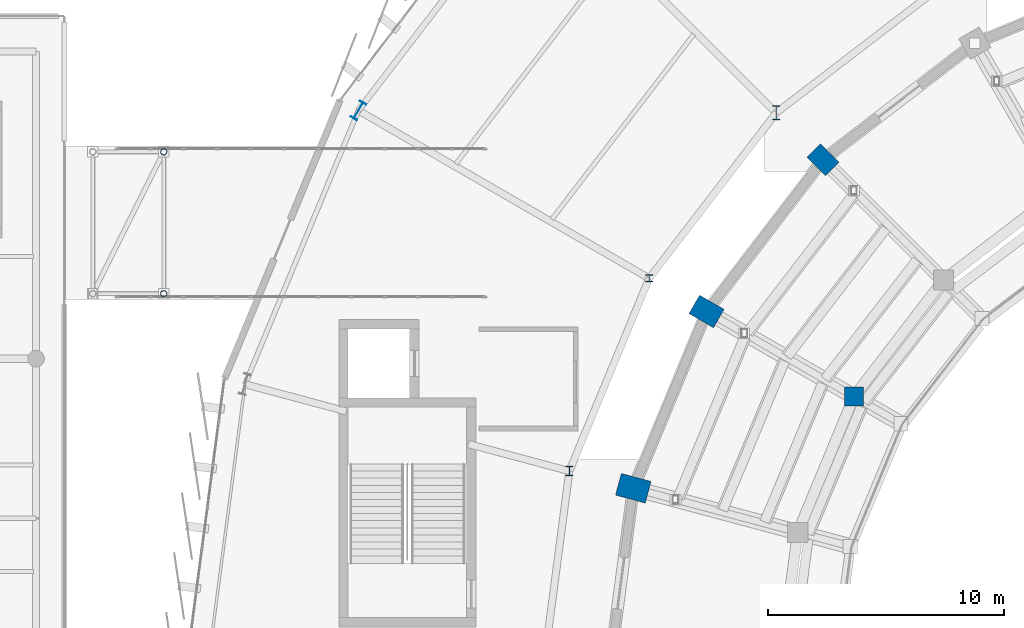
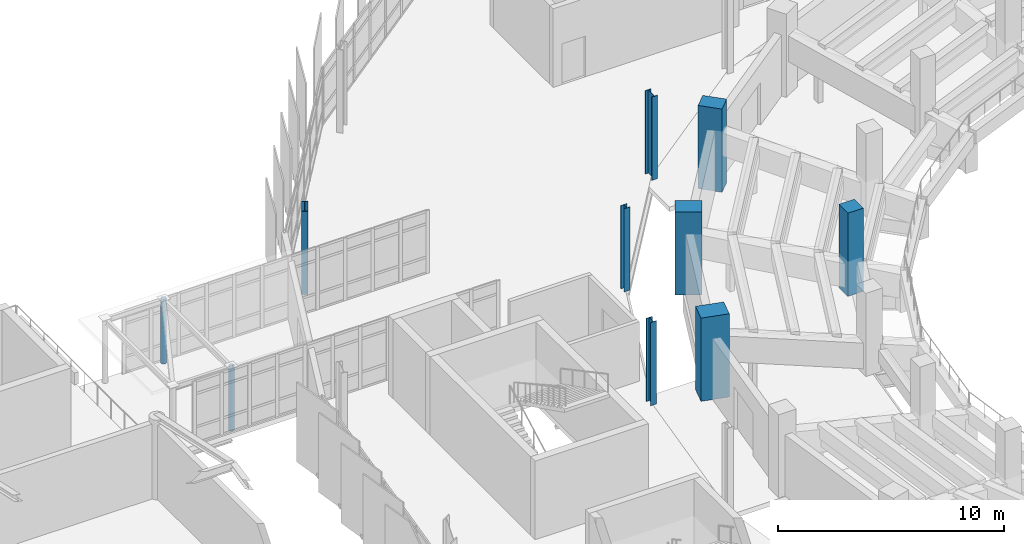
# One storey, part 12 of 120: 10 columns.
"""IFC4 building model written with IfcOpenShell, lengths in metres."""

from ifc_helpers import new_model, si_unit, direction, frame, origin, origin_2d, place, context, subcontext, project, spatial, rectangle, hollow_circle, i_section, extrude, material, material_profile, profile_set, type_object, element, save


model = new_model("IFC4")

# Units and contexts
model_context = context("Model", 3, precision=1e-05, world=origin(), true_north=direction((0.0, 1.0)))
body_context = subcontext(model_context, "Body", "Model", "MODEL_VIEW")
ifc_project = project(units=[si_unit("LENGTHUNIT", "METRE"), si_unit("AREAUNIT", "SQUARE_METRE"), si_unit("VOLUMEUNIT", "CUBIC_METRE"), si_unit("PLANEANGLEUNIT", "RADIAN"), si_unit("MASSUNIT", "GRAM", prefix="KILO")], contexts=[model_context])

# Site, building, storey
site_placement = place(None, origin())
site = spatial("IfcSite", under=ifc_project, at=site_placement, CompositionType="ELEMENT")
building_placement = place(site_placement, origin())
building = spatial("IfcBuilding", under=site, at=building_placement, Name="Sohan Crest Arena", CompositionType="ELEMENT")
storey_placement = place(building_placement, frame((0.0, 0.0, 13.5)))
storey = spatial("IfcBuildingStorey", under=building, at=storey_placement, Name="L03", CompositionType="ELEMENT", Elevation=13.5)

# Columns
ifc_material_1 = material(Name="Concrete C40/50", Category="concrete")
ifc_material_profile_1 = material_profile(ifc_material_1, rectangle(XDim=0.800048828125, YDim=0.800048828125, at=origin_2d()), Name="RC 800x800")
ifc_profile_set_1 = profile_set([ifc_material_profile_1], Name="Concrete C40/50")
column_type_1 = type_object("IfcColumnType", Name="STR-COL-C05", PredefinedType="COLUMN", material=ifc_profile_set_1)
column_1_placement = place(storey_placement, frame((77.388916015625, 89.89990234375, 0.0), z_axis=(0.0, 0.0, 1.0), x_axis=(1.0, 0.0, 0.0)))
element("IfcColumn", 1, at=column_1_placement, inside=storey, type_object=column_type_1, Name="Structural column COL-V1M-05-L03", PredefinedType="COLUMN", context=body_context, shape_type="SweptSolid", body=[
    extrude(rectangle(XDim=0.800048828125, YDim=0.800048828125, at=origin_2d()), origin(), (0.0, 0.0, 1.0), 4.5),
])
ifc_material_profile_2 = material_profile(ifc_material_1, rectangle(XDim=1.10009765625, YDim=0.800048828125, at=origin_2d()), Name="RC 1100x800")
ifc_profile_set_2 = profile_set([ifc_material_profile_2], Name="Concrete C40/50")
column_type_2 = type_object("IfcColumnType", Name="STR-COL-C10", PredefinedType="COLUMN", material=ifc_profile_set_2)
column_2_placement = place(storey_placement, frame((76.080078125, 99.919921875, 0.0), z_axis=(0.0, 0.0, 1.0), x_axis=(-0.707106781187, 0.707106781187, 0.0)))
element("IfcColumn", 2, at=column_2_placement, inside=storey, type_object=column_type_2, Name="Structural column COL-V1R-04-L03", PredefinedType="COLUMN", context=body_context, shape_type="SweptSolid", body=[
    extrude(rectangle(XDim=1.10009765625, YDim=0.800048828125, at=origin_2d()), origin(), (0.0, 0.0, 1.0), 4.5),
])
ifc_material_profile_3 = material_profile(ifc_material_1, rectangle(XDim=1.199951171875, YDim=0.89990234375, at=origin_2d()), Name="RC 1200x900")
ifc_profile_set_3 = profile_set([ifc_material_profile_3], Name="Concrete C40/50")
column_type_3 = type_object("IfcColumnType", Name="STR-COL-C11", PredefinedType="COLUMN", material=ifc_profile_set_3)
column_3_placement = place(storey_placement, frame((71.153076171875, 93.5, 0.0), z_axis=(0.0, 0.0, 1.0), x_axis=(-0.866025403784, 0.5, 0.0)))
element("IfcColumn", 3, at=column_3_placement, inside=storey, type_object=column_type_3, Name="Structural column COL-V1R-05-L03", PredefinedType="COLUMN", context=body_context, shape_type="SweptSolid", body=[
    extrude(rectangle(XDim=1.199951171875, YDim=0.89990234375, at=origin_2d()), origin(), (0.0, 0.0, 1.0), 4.5),
])
ifc_material_profile_4 = material_profile(ifc_material_1, rectangle(XDim=1.300048828125, YDim=0.949951171875, at=origin_2d()), Name="RC 1300x950")
ifc_profile_set_4 = profile_set([ifc_material_profile_4], Name="Concrete C40/50")
column_type_4 = type_object("IfcColumnType", Name="STR-COL-C12", PredefinedType="COLUMN", material=ifc_profile_set_4)
column_4_placement = place(storey_placement, frame((68.055908203125, 86.02294921875, 0.0), z_axis=(0.0, 0.0, 1.0), x_axis=(-0.965925826289, 0.258819045103, 0.0)))
element("IfcColumn", 4, at=column_4_placement, inside=storey, type_object=column_type_4, Name="Structural column COL-V1R-06-L03", PredefinedType="COLUMN", context=body_context, shape_type="SweptSolid", body=[
    extrude(rectangle(XDim=1.300048828125, YDim=0.949951171875, at=origin_2d()), origin(), (0.0, 0.0, 1.0), 4.5),
])
ifc_material_2 = material(Name="Steel S355", Category="steel")
ifc_material_profile_5 = material_profile(ifc_material_2, i_section(OverallWidth=0.300048828125, OverallDepth=0.300048828125, WebThickness=0.010986328125, FlangeThickness=0.01904296875, at=origin_2d()), Name="HEB 300")
ifc_profile_set_5 = profile_set([ifc_material_profile_5], Name="Steel S355")
column_type_5 = type_object("IfcColumnType", Name="STR-COL-C17", PredefinedType="COLUMN", material=ifc_profile_set_5)
column_5_placement = place(storey_placement, frame((68.72802734375, 94.89990234375, 0.0), z_axis=(0.0, 0.0, 1.0), x_axis=(1.0, 0.0, 0.0)))
element("IfcColumn", 5, at=column_5_placement, inside=storey, type_object=column_type_5, Name="Structural column COL-V2I-05-L03", PredefinedType="COLUMN", context=body_context, shape_type="SweptSolid", body=[
    extrude(i_section(OverallWidth=0.300048828125, OverallDepth=0.300048828125, WebThickness=0.010986328125, FlangeThickness=0.01904296875, at=origin_2d()), origin(), (0.0, 0.0, 1.0), 4.5),
])
ifc_material_profile_6 = material_profile(ifc_material_2, i_section(OverallWidth=0.300048828125, OverallDepth=0.39990234375, WebThickness=0.013427734375, FlangeThickness=0.02392578125, at=origin_2d()), Name="HEB 400")
ifc_profile_set_6 = profile_set([ifc_material_profile_6], Name="Steel S355")
column_type_6 = type_object("IfcColumnType", Name="STR-COL-C18", PredefinedType="COLUMN", material=ifc_profile_set_6)
column_6_placement = place(storey_placement, frame((65.35205078125, 86.748046875, 0.0), z_axis=(0.0, 0.0, 1.0), x_axis=(1.0, 0.0, 0.0)))
element("IfcColumn", 6, at=column_6_placement, inside=storey, type_object=column_type_6, Name="Structural column COL-V2I-06-L03", PredefinedType="COLUMN", context=body_context, shape_type="SweptSolid", body=[
    extrude(i_section(OverallWidth=0.300048828125, OverallDepth=0.39990234375, WebThickness=0.013427734375, FlangeThickness=0.02392578125, at=origin_2d()), origin(), (0.0, 0.0, 1.0), 4.5),
])
ifc_material_profile_7 = material_profile(ifc_material_2, i_section(OverallWidth=0.300048828125, OverallDepth=0.60009765625, WebThickness=0.015380859375, FlangeThickness=0.030029296875, at=origin_2d()), Name="HEB 600")
ifc_profile_set_7 = profile_set([ifc_material_profile_7], Name="Steel S355")
column_type_7 = type_object("IfcColumnType", Name="STR-COL-C20", PredefinedType="COLUMN", material=ifc_profile_set_7)
column_7_placement = place(storey_placement, frame((74.10009765625, 101.89990234375, 0.0), z_axis=(0.0, 0.0, 1.0), x_axis=(1.0, 0.0, 0.0)))
element("IfcColumn", 7, at=column_7_placement, inside=storey, type_object=column_type_7, Name="Structural column COL-V2I-04-L03", PredefinedType="COLUMN", context=body_context, shape_type="SweptSolid", body=[
    extrude(i_section(OverallWidth=0.300048828125, OverallDepth=0.60009765625, WebThickness=0.015380859375, FlangeThickness=0.030029296875, at=origin_2d()), origin(), (0.0, 0.0, 1.0), 4.5),
])
ifc_material_profile_8 = material_profile(ifc_material_2, i_section(OverallWidth=0.300048828125, OverallDepth=0.800048828125, WebThickness=0.017578125, FlangeThickness=0.032958984375, at=origin_2d()), Name="HEB 800")
ifc_profile_set_8 = profile_set([ifc_material_profile_8], Name="Steel S355")
column_type_8 = type_object("IfcColumnType", Name="STR-COL-C22", PredefinedType="COLUMN", material=ifc_profile_set_8)
column_8_placement = place(storey_placement, frame((56.430908203125, 102.0, 0.0), z_axis=(0.0, 0.0, 1.0), x_axis=(-0.866025403784, 0.5, 0.0)))
element("IfcColumn", 8, at=column_8_placement, inside=storey, type_object=column_type_8, Name="Structural column COL-V2O-05-L03", PredefinedType="COLUMN", context=body_context, shape_type="SweptSolid", body=[
    extrude(i_section(OverallWidth=0.300048828125, OverallDepth=0.800048828125, WebThickness=0.017578125, FlangeThickness=0.032958984375, at=origin_2d()), origin(), (0.0, 0.0, 1.0), 4.5),
])
ifc_material_profile_9 = material_profile(ifc_material_2, hollow_circle(Radius=0.136474609375, WallThickness=0.012451171875, at=origin_2d()), Name="CHS 273x12.5")
ifc_profile_set_9 = profile_set([ifc_material_profile_9], Name="Steel S355")
column_type_9 = type_object("IfcColumnType", Name="STR-COL-C25", PredefinedType="COLUMN", material=ifc_profile_set_9)
for number, where, z_axis, x_axis, name in (
    (9, (48.199951171875, 94.25, 0.0), (0.0, 0.0, 1.0), (1.0, 0.0, 0.0), "Structural column COL-BC-BR-W2-2-L03"),
    (10, (48.199951171875, 100.25, 0.0), (0.0, 0.0, 1.0), (1.0, 0.0, 0.0), "Structural column COL-BC-BR-W2-4-L03"),
):
    element("IfcColumn", number, at=place(storey_placement, frame(where, z_axis=z_axis, x_axis=x_axis)), inside=storey, type_object=column_type_9, Name=name, PredefinedType="COLUMN", context=body_context, shape_type="SweptSolid", body=[
        extrude(hollow_circle(Radius=0.136474609375, WallThickness=0.012451171875, at=origin_2d()), origin(), (0.0, 0.0, 1.0), 3.47509765625),
    ])

save(model, "model.ifc")
